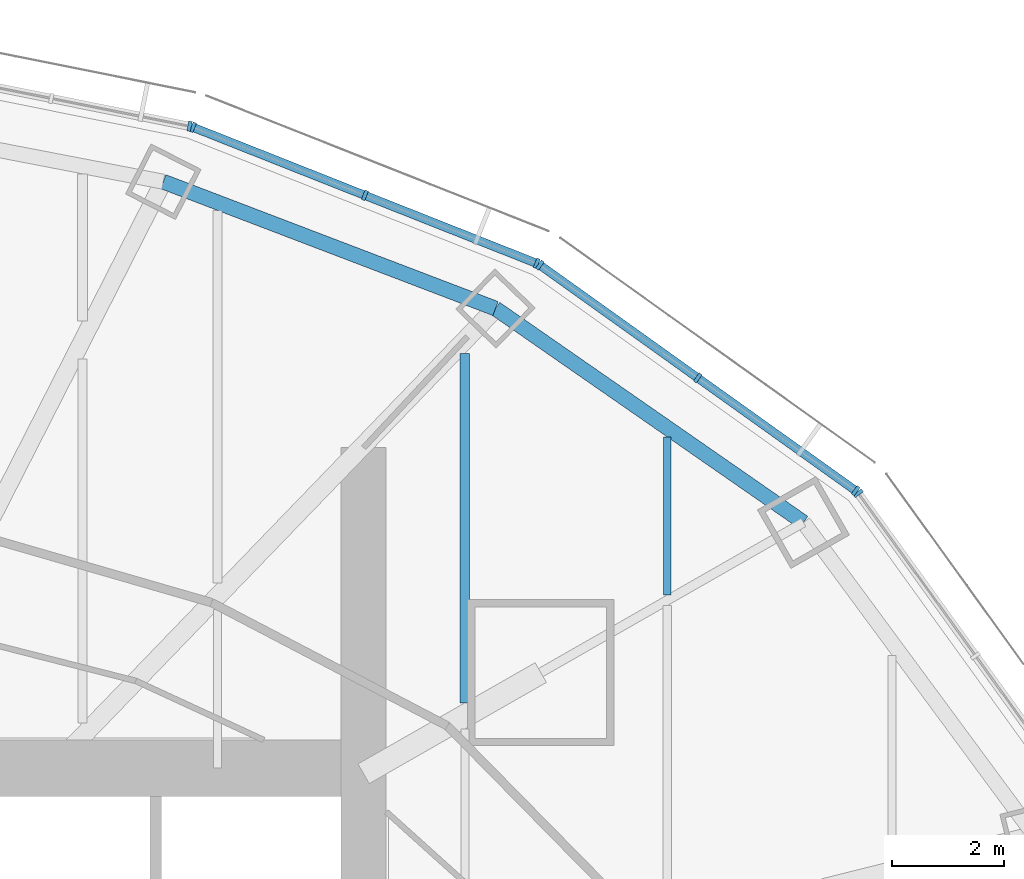
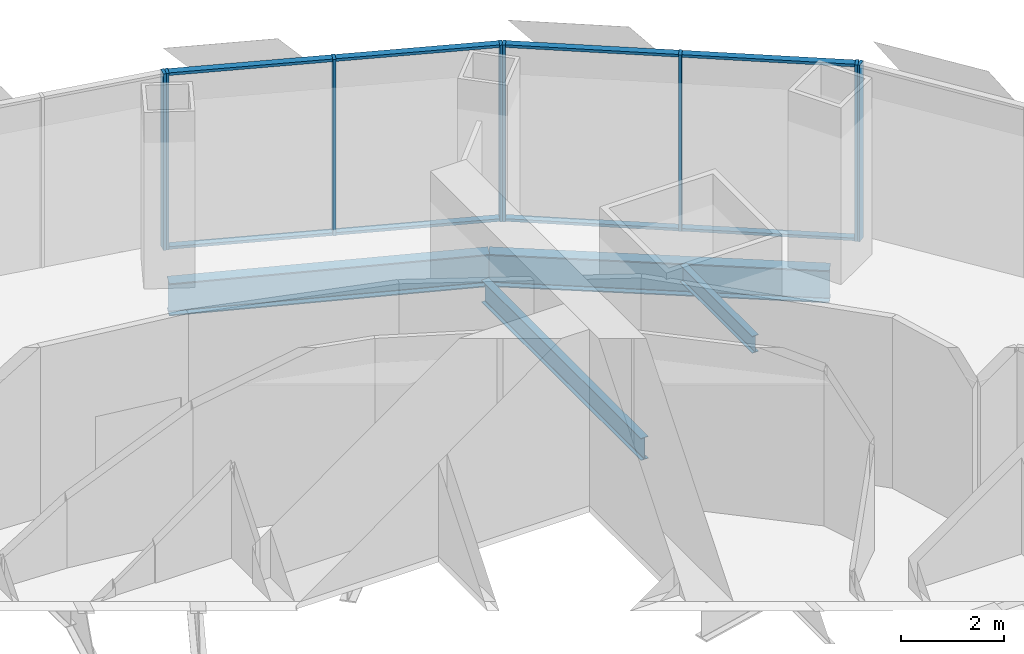
# One storey, part 9 of 17: 16 members, 4 beams, 4 elements without a shape of their own.
"""IFC4 building model written with IfcOpenShell, lengths in metres."""

from ifc_helpers import new_model, si_unit, direction, frame, origin, origin_2d, place, context, subcontext, project, spatial, rectangle, i_section, extrude, material, material_profile, profile_set, type_object, element, aggregate, save


model = new_model("IFC4")

# Units and contexts
model_context = context("Model", 3, precision=1e-05, world=origin(), true_north=direction((0.0, 1.0)))
body_context = subcontext(model_context, "Body", "Model", "MODEL_VIEW")
ifc_project = project(units=[si_unit("LENGTHUNIT", "METRE"), si_unit("AREAUNIT", "SQUARE_METRE"), si_unit("VOLUMEUNIT", "CUBIC_METRE"), si_unit("PLANEANGLEUNIT", "RADIAN"), si_unit("MASSUNIT", "GRAM", prefix="KILO")], contexts=[model_context])

# Site, building, storey
site_placement = place(None, origin())
site = spatial("IfcSite", under=ifc_project, at=site_placement, CompositionType="ELEMENT")
building_placement = place(site_placement, origin())
building = spatial("IfcBuilding", under=site, at=building_placement, Name="Lantaw Convention Tower", CompositionType="ELEMENT")
storey_placement = place(building_placement, frame((0.0, 0.0, 220.0)))
storey = spatial("IfcBuildingStorey", under=building, at=storey_placement, Name="L51", CompositionType="ELEMENT", Elevation=220.0)

# Beams
ifc_material_1 = material(Name="Steel ASTM A992", Category="steel")
ifc_material_profile_1 = material_profile(ifc_material_1, i_section(OverallWidth=0.2666015625, OverallDepth=0.76953125, WebThickness=0.015625, FlangeThickness=0.025390625, FilletRadius=0.0126953125, at=origin_2d()), Name="W30X132")
ifc_profile_set_1 = profile_set([ifc_material_profile_1], Name="Steel ASTM A992")
beam_type_1 = type_object("IfcBeamType", Name="Beam E W30X132", PredefinedType="SPANDREL", material=ifc_profile_set_1)
beam_1_placement = place(storey_placement, frame((20.423095703125, 11.67041015625, -0.534912109375), z_axis=(-0.82135329406, 0.570419815869, 0.0), x_axis=(-0.570419815869, -0.82135329406, 0.0)))
element("IfcBeam", 1, at=beam_1_placement, inside=storey, type_object=beam_type_1, Name="Edge beam 3", PredefinedType="SPANDREL", context=body_context, shape_type="SweptSolid", body=[
    extrude(i_section(OverallWidth=0.2666015625, OverallDepth=0.76953125, WebThickness=0.015625, FlangeThickness=0.025390625, FilletRadius=0.0126953125, at=origin_2d()), origin(), (0.0, 0.0, 1.0), 6.67041015625),
])
beam_2_placement = place(storey_placement, frame((14.9443359375, 15.475341796875, -0.534912109375), z_axis=(-0.934234988, 0.356658081637, 0.0), x_axis=(-0.356658081637, -0.934234988, 0.0)))
element("IfcBeam", 2, at=beam_2_placement, inside=storey, type_object=beam_type_1, Name="Edge beam 4", PredefinedType="SPANDREL", context=body_context, shape_type="SweptSolid", body=[
    extrude(i_section(OverallWidth=0.2666015625, OverallDepth=0.76953125, WebThickness=0.015625, FlangeThickness=0.025390625, FilletRadius=0.0126953125, at=origin_2d()), origin(), (0.0, 0.0, 1.0), 6.32568359375),
])
ifc_material_profile_2 = material_profile(ifc_material_1, i_section(OverallWidth=0.140380859375, OverallDepth=0.40380859375, WebThickness=0.007080078125, FlangeThickness=0.01123046875, FilletRadius=0.01025390625, at=origin_2d()), Name="W16X31")
ifc_profile_set_2 = profile_set([ifc_material_profile_2], Name="Steel ASTM A992")
beam_type_2 = type_object("IfcBeamType", Name="Beam J W16X31", PredefinedType="JOIST", material=ifc_profile_set_2)
beam_3_placement = place(storey_placement, frame((18.0, 10.380859375, -0.35205078125), z_axis=(0.0, 1.0, 0.0), x_axis=(-1.0, 0.0, 0.0)))
element("IfcBeam", 3, at=beam_3_placement, inside=storey, type_object=beam_type_2, Name="Floor joist", PredefinedType="JOIST", context=body_context, shape_type="SweptSolid", body=[
    extrude(i_section(OverallWidth=0.140380859375, OverallDepth=0.40380859375, WebThickness=0.007080078125, FlangeThickness=0.01123046875, FilletRadius=0.01025390625, at=origin_2d()), origin(), (0.0, 0.0, 1.0), 2.81005859375),
])
ifc_material_profile_3 = material_profile(ifc_material_1, i_section(OverallWidth=0.1650390625, OverallDepth=0.52587890625, WebThickness=0.0087890625, FlangeThickness=0.011474609375, FilletRadius=0.0126953125, at=origin_2d()), Name="W21X44")
ifc_profile_set_3 = profile_set([ifc_material_profile_3], Name="Steel ASTM A992")
beam_type_3 = type_object("IfcBeamType", Name="Beam J W21X44", PredefinedType="JOIST", material=ifc_profile_set_3)
beam_4_placement = place(storey_placement, frame((14.39990234375, 8.461181640625, -0.412841796875), z_axis=(0.0, 1.0, 0.0), x_axis=(-1.0, 0.0, 0.0)))
element("IfcBeam", 4, at=beam_4_placement, inside=storey, type_object=beam_type_3, Name="Floor joist", PredefinedType="JOIST", context=body_context, shape_type="SweptSolid", body=[
    extrude(i_section(OverallWidth=0.1650390625, OverallDepth=0.52587890625, WebThickness=0.0087890625, FlangeThickness=0.011474609375, FilletRadius=0.0126953125, at=origin_2d()), origin(), (0.0, 0.0, 1.0), 6.214599609375),
])

# Curtain wall, member
ifc_material_2 = material(Name="Aluminium framed curtain wall", Category="aluminium")
curtain_wall_type = type_object("IfcCurtainWallType", Name="Office curtain wall high rise, pale aluminium", PredefinedType="USERDEFINED", material=ifc_material_2)
curtain_wall_1_placement = place(storey_placement, origin())
curtain_wall_1 = element("IfcCurtainWall", 5, at=curtain_wall_1_placement, inside=storey, type_object=curtain_wall_type, Name="Office curtain wall high rise, pale aluminium L51", ObjectType="UNITISED CURTAIN WALL", PredefinedType="USERDEFINED")
ifc_material_3 = material(Name="Aluminium 6063-T6", Category="aluminium")
ifc_material_profile_4 = material_profile(ifc_material_3, rectangle(XDim=0.179931640625, YDim=0.06494140625, at=origin_2d()), Name="CW-O2 mullion 65x180")
ifc_profile_set_4 = profile_set([ifc_material_profile_4], Name="Aluminium 6063-T6")
member_type_1 = type_object("IfcMemberType", Name="CW-O2 mullion 65x180", PredefinedType="MULLION", material=ifc_profile_set_4)
member_1_placement = place(storey_placement, frame((21.397216796875, 12.189697265625, -0.14990234375), z_axis=(0.0, 0.0, 1.0), x_axis=(-0.810919559405, -0.585157643865, 0.0)))
member_1 = element("IfcMember", 6, at=member_1_placement, type_object=member_type_1, Name="CW-O2 mullion 3", PredefinedType="MULLION", context=body_context, shape_type="SweptSolid", body=[
    extrude(rectangle(XDim=0.179931640625, YDim=0.06494140625, at=origin_2d()), origin(), (0.0, 0.0, 1.0), 4.199951171875),
])
aggregate(curtain_wall_1, [member_1])

# Curtain wall, members
curtain_wall_2_placement = place(storey_placement, origin())
curtain_wall_2 = element("IfcCurtainWall", 7, at=curtain_wall_2_placement, inside=storey, type_object=curtain_wall_type, Name="Office curtain wall high rise, pale aluminium L51", ObjectType="UNITISED CURTAIN WALL", PredefinedType="USERDEFINED")
member_2_placement = place(storey_placement, frame((21.3515625, 12.23486328125, -0.14990234375), z_axis=(0.0, 0.0, 1.0), x_axis=(-0.581323487281, -0.813672540482, 0.0)))
member_2 = element("IfcMember", 8, at=member_2_placement, type_object=member_type_1, Name="CW-O2 mullion 1", PredefinedType="MULLION", context=body_context, shape_type="SweptSolid", body=[
    extrude(rectangle(XDim=0.179931640625, YDim=0.06494140625, at=origin_2d()), origin(), (0.0, 0.0, 1.0), 4.199951171875),
])
member_3_placement = place(storey_placement, frame((18.543212890625, 14.241455078125, -0.14990234375), z_axis=(0.0, 0.0, 1.0), x_axis=(-0.581323487281, -0.813672540482, 0.0)))
member_3 = element("IfcMember", 9, at=member_3_placement, type_object=member_type_1, Name="CW-O2 mullion 2", PredefinedType="MULLION", context=body_context, shape_type="SweptSolid", body=[
    extrude(rectangle(XDim=0.179931640625, YDim=0.06494140625, at=origin_2d()), origin(), (0.0, 0.0, 1.0), 4.199951171875),
])
member_4_placement = place(storey_placement, frame((15.73486328125, 16.247802734375, -0.14990234375), z_axis=(0.0, 0.0, 1.0), x_axis=(-0.581323487281, -0.813672540482, 0.0)))
member_4 = element("IfcMember", 10, at=member_4_placement, type_object=member_type_1, Name="CW-O2 mullion 3", PredefinedType="MULLION", context=body_context, shape_type="SweptSolid", body=[
    extrude(rectangle(XDim=0.179931640625, YDim=0.06494140625, at=origin_2d()), origin(), (0.0, 0.0, 1.0), 4.199951171875),
])

curtain_wall_3_placement = place(storey_placement, origin())
curtain_wall_3 = element("IfcCurtainWall", 11, at=curtain_wall_3_placement, inside=storey, type_object=curtain_wall_type, Name="Office curtain wall high rise, pale aluminium L51", ObjectType="UNITISED CURTAIN WALL", PredefinedType="USERDEFINED")
member_5_placement = place(storey_placement, frame((15.67822265625, 16.278564453125, -0.14990234375), z_axis=(0.0, 0.0, 1.0), x_axis=(-0.368162315252, -0.929761533743, 0.0)))
member_5 = element("IfcMember", 12, at=member_5_placement, type_object=member_type_1, Name="CW-O2 mullion 1", PredefinedType="MULLION", context=body_context, shape_type="SweptSolid", body=[
    extrude(rectangle(XDim=0.179931640625, YDim=0.06494140625, at=origin_2d()), origin(), (0.0, 0.0, 1.0), 4.199951171875),
])
member_6_placement = place(storey_placement, frame((12.621337890625, 17.4892578125, -0.14990234375), z_axis=(0.0, 0.0, 1.0), x_axis=(-0.368162315252, -0.929761533743, 0.0)))
member_6 = element("IfcMember", 13, at=member_6_placement, type_object=member_type_1, Name="CW-O2 mullion 2", PredefinedType="MULLION", context=body_context, shape_type="SweptSolid", body=[
    extrude(rectangle(XDim=0.179931640625, YDim=0.06494140625, at=origin_2d()), origin(), (0.0, 0.0, 1.0), 4.199951171875),
])
member_7_placement = place(storey_placement, frame((9.564208984375, 18.69970703125, -0.14990234375), z_axis=(0.0, 0.0, 1.0), x_axis=(-0.368162315252, -0.929761533743, 0.0)))
member_7 = element("IfcMember", 14, at=member_7_placement, type_object=member_type_1, Name="CW-O2 mullion 3", PredefinedType="MULLION", context=body_context, shape_type="SweptSolid", body=[
    extrude(rectangle(XDim=0.179931640625, YDim=0.06494140625, at=origin_2d()), origin(), (0.0, 0.0, 1.0), 4.199951171875),
])

# Curtain wall, member
curtain_wall_4_placement = place(storey_placement, origin())
curtain_wall_4 = element("IfcCurtainWall", 15, at=curtain_wall_4_placement, inside=storey, type_object=curtain_wall_type, Name="Office curtain wall high rise, pale aluminium L51", ObjectType="UNITISED CURTAIN WALL", PredefinedType="USERDEFINED")
member_8_placement = place(storey_placement, frame((9.502197265625, 18.718017578125, -0.14990234375), z_axis=(0.0, 0.0, 1.0), x_axis=(-0.197183095987, -0.980366679695, 0.0)))
member_8 = element("IfcMember", 16, at=member_8_placement, type_object=member_type_1, Name="CW-O2 mullion 1", PredefinedType="MULLION", context=body_context, shape_type="SweptSolid", body=[
    extrude(rectangle(XDim=0.179931640625, YDim=0.06494140625, at=origin_2d()), origin(), (0.0, 0.0, 1.0), 4.199951171875),
])
aggregate(curtain_wall_4, [member_8])

# Member
ifc_material_profile_5 = material_profile(ifc_material_3, rectangle(XDim=0.14990234375, YDim=0.06494140625, at=origin_2d()), Name="CW-O2 transom 65x150")
ifc_profile_set_5 = profile_set([ifc_material_profile_5], Name="Aluminium 6063-T6")
member_type_2 = type_object("IfcMemberType", Name="CW-O2 transom 65x150", PredefinedType="USERDEFINED", material=ifc_profile_set_5)
member_9_placement = place(storey_placement, frame((21.3251953125, 12.25390625, -0.117431640625), z_axis=(-0.813679882592, 0.581313210468, 0.0), x_axis=(-0.581313210468, -0.813679882592, 0.0)))
member_9 = element("IfcMember", 17, at=member_9_placement, type_object=member_type_2, Name="CW-O2 transom 1.1", ObjectType="TRANSOM", PredefinedType="USERDEFINED", context=body_context, shape_type="SweptSolid", body=[
    extrude(rectangle(XDim=0.14990234375, YDim=0.06494140625, at=origin_2d()), origin(), (0.0, 0.0, 1.0), 3.38623046875),
])

member_10_placement = place(storey_placement, frame((21.3251953125, 12.25390625, 4.017578125), z_axis=(-0.813679882592, 0.581313210468, 0.0), x_axis=(-0.581313210468, -0.813679882592, 0.0)))
member_10 = element("IfcMember", 18, at=member_10_placement, type_object=member_type_2, Name="CW-O2 transom 1.2", ObjectType="TRANSOM", PredefinedType="USERDEFINED", context=body_context, shape_type="SweptSolid", body=[
    extrude(rectangle(XDim=0.14990234375, YDim=0.06494140625, at=origin_2d()), origin(), (0.0, 0.0, 1.0), 3.38623046875),
])

member_11_placement = place(storey_placement, frame((18.516845703125, 14.26025390625, -0.117431640625), z_axis=(-0.813645780821, 0.581360940683, 0.0), x_axis=(-0.581360940683, -0.813645780821, 0.0)))
member_11 = element("IfcMember", 19, at=member_11_placement, type_object=member_type_2, Name="CW-O2 transom 2.1", ObjectType="TRANSOM", PredefinedType="USERDEFINED", context=body_context, shape_type="SweptSolid", body=[
    extrude(rectangle(XDim=0.14990234375, YDim=0.06494140625, at=origin_2d()), origin(), (0.0, 0.0, 1.0), 3.386474609375),
])

member_12_placement = place(storey_placement, frame((18.516845703125, 14.26025390625, 4.017578125), z_axis=(-0.813645780821, 0.581360940683, 0.0), x_axis=(-0.581360940683, -0.813645780821, 0.0)))
member_12 = element("IfcMember", 20, at=member_12_placement, type_object=member_type_2, Name="CW-O2 transom 2.2", ObjectType="TRANSOM", PredefinedType="USERDEFINED", context=body_context, shape_type="SweptSolid", body=[
    extrude(rectangle(XDim=0.14990234375, YDim=0.06494140625, at=origin_2d()), origin(), (0.0, 0.0, 1.0), 3.386474609375),
])

aggregate(curtain_wall_2, [member_2, member_3, member_4, member_9, member_10, member_11, member_12])

member_13_placement = place(storey_placement, frame((15.648193359375, 16.29052734375, -0.117431640625), z_axis=(-0.929740712354, 0.368214893495, 0.0), x_axis=(-0.368214893495, -0.929740712354, 0.0)))
member_13 = element("IfcMember", 21, at=member_13_placement, type_object=member_type_2, Name="CW-O2 transom 1.1", ObjectType="TRANSOM", PredefinedType="USERDEFINED", context=body_context, shape_type="SweptSolid", body=[
    extrude(rectangle(XDim=0.14990234375, YDim=0.06494140625, at=origin_2d()), origin(), (0.0, 0.0, 1.0), 3.22314453125),
])

member_14_placement = place(storey_placement, frame((15.648193359375, 16.29052734375, 4.017578125), z_axis=(-0.929740712354, 0.368214893495, 0.0), x_axis=(-0.368214893495, -0.929740712354, 0.0)))
member_14 = element("IfcMember", 22, at=member_14_placement, type_object=member_type_2, Name="CW-O2 transom 1.2", ObjectType="TRANSOM", PredefinedType="USERDEFINED", context=body_context, shape_type="SweptSolid", body=[
    extrude(rectangle(XDim=0.14990234375, YDim=0.06494140625, at=origin_2d()), origin(), (0.0, 0.0, 1.0), 3.22314453125),
])

member_15_placement = place(storey_placement, frame((12.591064453125, 17.501220703125, -0.117431640625), z_axis=(-0.929766642946, 0.368149412149, 0.0), x_axis=(-0.368149412149, -0.929766642946, 0.0)))
member_15 = element("IfcMember", 23, at=member_15_placement, type_object=member_type_2, Name="CW-O2 transom 2.1", ObjectType="TRANSOM", PredefinedType="USERDEFINED", context=body_context, shape_type="SweptSolid", body=[
    extrude(rectangle(XDim=0.14990234375, YDim=0.06494140625, at=origin_2d()), origin(), (0.0, 0.0, 1.0), 3.222900390625),
])

member_16_placement = place(storey_placement, frame((12.591064453125, 17.501220703125, 4.017578125), z_axis=(-0.929766642946, 0.368149412149, 0.0), x_axis=(-0.368149412149, -0.929766642946, 0.0)))
member_16 = element("IfcMember", 24, at=member_16_placement, type_object=member_type_2, Name="CW-O2 transom 2.2", ObjectType="TRANSOM", PredefinedType="USERDEFINED", context=body_context, shape_type="SweptSolid", body=[
    extrude(rectangle(XDim=0.14990234375, YDim=0.06494140625, at=origin_2d()), origin(), (0.0, 0.0, 1.0), 3.222900390625),
])

aggregate(curtain_wall_3, [member_5, member_6, member_7, member_13, member_14, member_15, member_16])

save(model, "model.ifc")
